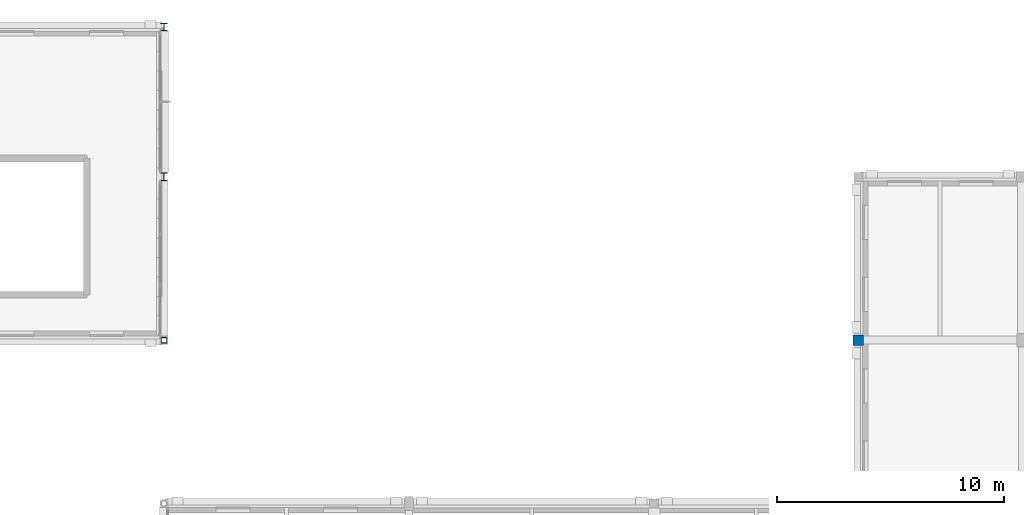
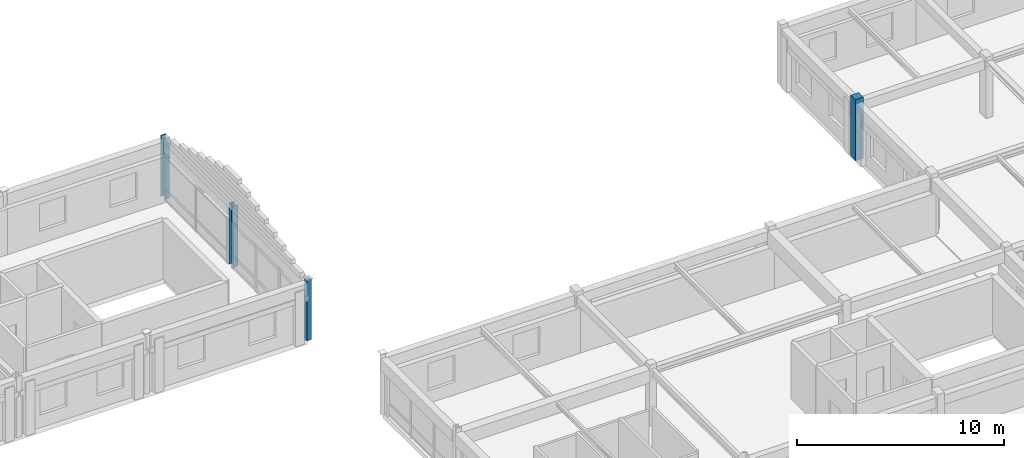
# One storey, part 9 of 52: 4 columns.
"""IFC4 building model written with IfcOpenShell, lengths in metres."""

from ifc_helpers import new_model, si_unit, direction, frame, origin, origin_2d, place, context, subcontext, project, spatial, rectangle, hollow_rectangle, i_section, extrude, material, material_profile, profile_set, type_object, element, save


model = new_model("IFC4")

# Units and contexts
model_context = context("Model", 3, precision=1e-05, world=origin(), true_north=direction((0.0, 1.0)))
body_context = subcontext(model_context, "Body", "Model", "MODEL_VIEW")
ifc_project = project(units=[si_unit("LENGTHUNIT", "METRE"), si_unit("AREAUNIT", "SQUARE_METRE"), si_unit("VOLUMEUNIT", "CUBIC_METRE"), si_unit("PLANEANGLEUNIT", "RADIAN"), si_unit("MASSUNIT", "GRAM", prefix="KILO")], contexts=[model_context])

# Site, building, storey
site_placement = place(None, origin())
site = spatial("IfcSite", under=ifc_project, at=site_placement, CompositionType="ELEMENT")
building_placement = place(site_placement, origin())
building = spatial("IfcBuilding", under=site, at=building_placement, Name="Clarverna Civic Hall", CompositionType="ELEMENT")
storey_placement = place(building_placement, frame((0.0, 0.0, 16.800048828125)))
storey = spatial("IfcBuildingStorey", under=building, at=storey_placement, Name="L04", CompositionType="ELEMENT", Elevation=16.800048828125)

# Columns
ifc_material_1 = material(Name="Concrete C35/45", Category="concrete")
ifc_material_profile_1 = material_profile(ifc_material_1, rectangle(XDim=0.449951171875, YDim=0.449951171875, at=origin_2d()), Name="RC 450x450")
ifc_profile_set_1 = profile_set([ifc_material_profile_1], Name="Concrete C35/45")
column_type_1 = type_object("IfcColumnType", Name="C-RC13", PredefinedType="COLUMN", material=ifc_profile_set_1)
column_1_placement = place(storey_placement, frame((97.199951171875, 102.199951171875, 0.0), z_axis=(0.0, 0.0, 1.0), x_axis=(1.0, 0.0, 0.0)))
element("IfcColumn", 1, at=column_1_placement, inside=storey, type_object=column_type_1, Name="C-RC13-023", PredefinedType="COLUMN", context=body_context, shape_type="SweptSolid", body=[
    extrude(rectangle(XDim=0.449951171875, YDim=0.449951171875, at=origin_2d()), origin(), (0.0, 0.0, 1.0), 3.599853515625),
])
ifc_material_2 = material(Name="Steel S355", Category="steel")
ifc_material_profile_2 = material_profile(ifc_material_2, hollow_rectangle(XDim=0.25, YDim=0.25, WallThickness=0.010009765625, at=origin_2d()), Name="RHS 250x250x10.0")
ifc_profile_set_2 = profile_set([ifc_material_profile_2], Name="Steel S355")
column_type_2 = type_object("IfcColumnType", Name="C-ST17", PredefinedType="COLUMN", material=ifc_profile_set_2)
column_2_placement = place(storey_placement, frame((66.60009765625, 102.199951171875, 0.0), z_axis=(0.0, 0.0, 1.0), x_axis=(1.0, 0.0, 0.0)))
element("IfcColumn", 2, at=column_2_placement, inside=storey, type_object=column_type_2, Name="C-ST17-006", PredefinedType="COLUMN", context=body_context, shape_type="SweptSolid", body=[
    extrude(hollow_rectangle(XDim=0.25, YDim=0.25, WallThickness=0.010009765625, at=origin_2d()), origin(), (0.0, 0.0, 1.0), 3.599853515625),
])
ifc_material_profile_3 = material_profile(ifc_material_2, i_section(OverallWidth=0.300048828125, OverallDepth=0.360107421875, WebThickness=0.012451171875, FlangeThickness=0.0224609375, FilletRadius=0.027099609375, at=origin_2d()), Name="HEB 360")
ifc_profile_set_3 = profile_set([ifc_material_profile_3], Name="Steel S355")
column_type_3 = type_object("IfcColumnType", Name="C-ST4", PredefinedType="COLUMN", material=ifc_profile_set_3)
column_3_placement = place(storey_placement, frame((66.60009765625, 109.39990234375, 0.0), z_axis=(0.0, 0.0, 1.0), x_axis=(1.0, 0.0, 0.0)))
element("IfcColumn", 3, at=column_3_placement, inside=storey, type_object=column_type_3, Name="C-ST4-006", PredefinedType="COLUMN", context=body_context, shape_type="SweptSolid", body=[
    extrude(i_section(OverallWidth=0.300048828125, OverallDepth=0.360107421875, WebThickness=0.012451171875, FlangeThickness=0.0224609375, FilletRadius=0.027099609375, at=origin_2d()), origin(), (0.0, 0.0, 1.0), 3.599853515625),
])
ifc_material_profile_4 = material_profile(ifc_material_2, i_section(OverallWidth=0.300048828125, OverallDepth=0.340087890625, WebThickness=0.011962890625, FlangeThickness=0.021484375, FilletRadius=0.027099609375, at=origin_2d()), Name="HEB 340")
ifc_profile_set_4 = profile_set([ifc_material_profile_4], Name="Steel S355")
column_type_4 = type_object("IfcColumnType", Name="C-ST5", PredefinedType="COLUMN", material=ifc_profile_set_4)
column_4_placement = place(storey_placement, frame((66.60009765625, 116.0, 0.0), z_axis=(0.0, 0.0, 1.0), x_axis=(1.0, 0.0, 0.0)))
element("IfcColumn", 4, at=column_4_placement, inside=storey, type_object=column_type_4, Name="C-ST5-008", PredefinedType="COLUMN", context=body_context, shape_type="SweptSolid", body=[
    extrude(i_section(OverallWidth=0.300048828125, OverallDepth=0.340087890625, WebThickness=0.011962890625, FlangeThickness=0.021484375, FilletRadius=0.027099609375, at=origin_2d()), origin(), (0.0, 0.0, 1.0), 3.599853515625),
])

save(model, "model.ifc")
